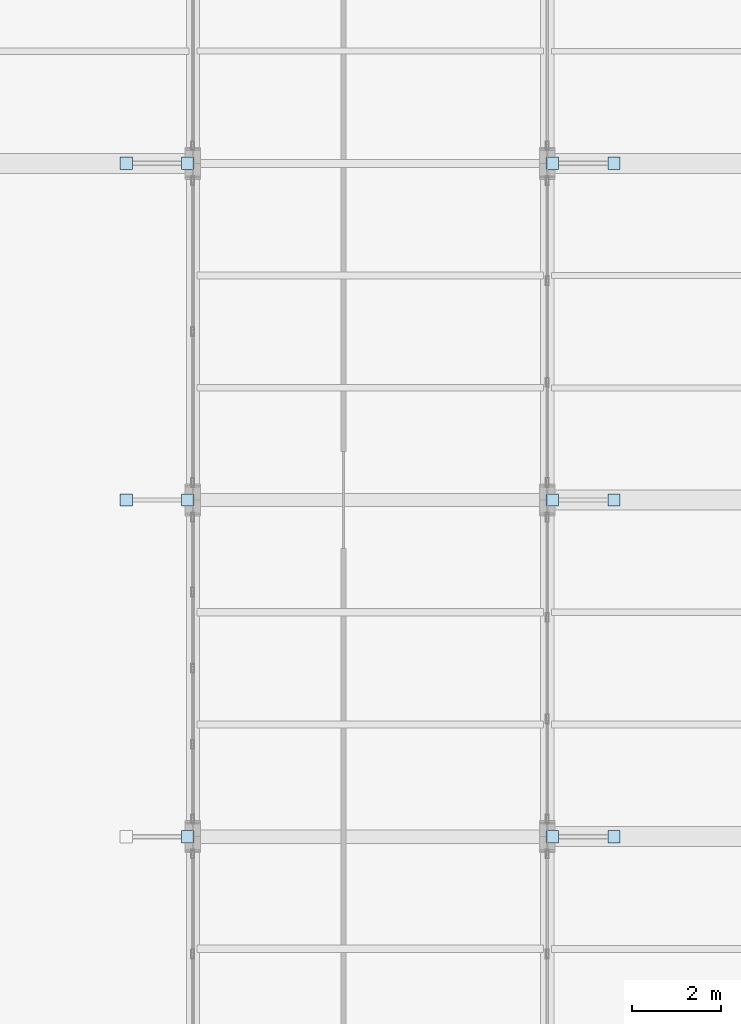
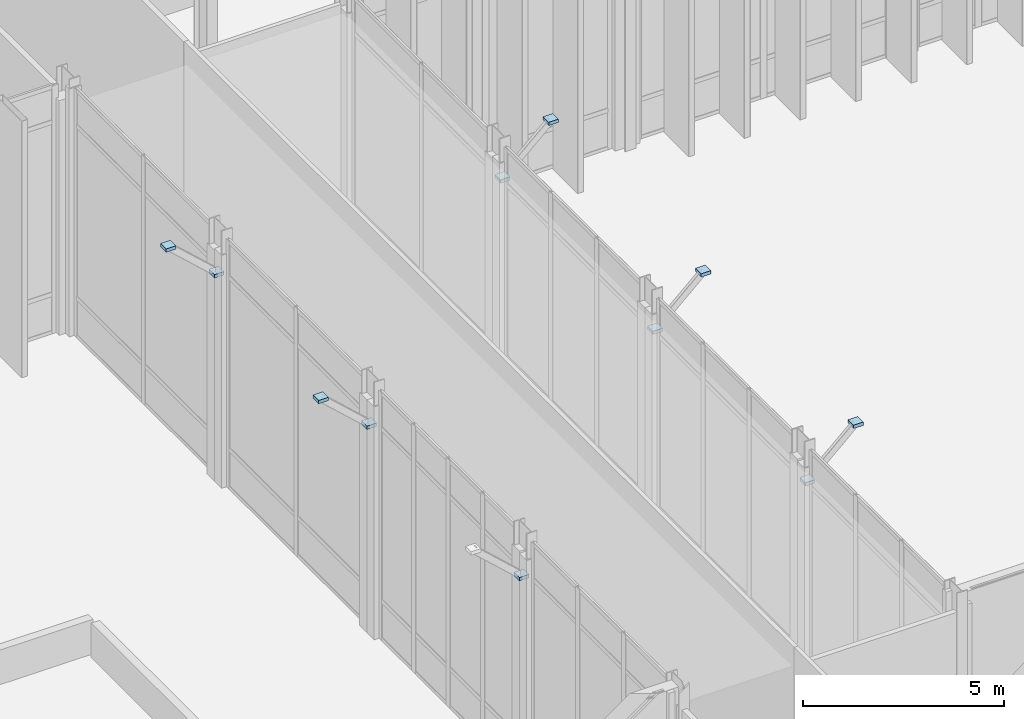
# One storey, part 128 of 176: 11 plates.
"""IFC4 building model written with IfcOpenShell, lengths in metres."""

from ifc_helpers import new_model, si_unit, direction, frame, origin, origin_2d, place, context, subcontext, project, spatial, rectangle, extrude, material, layer, layer_set, type_object, element, save


model = new_model("IFC4")

# Units and contexts
model_context = context("Model", 3, precision=1e-05, world=origin(), true_north=direction((0.0, 1.0)))
body_context = subcontext(model_context, "Body", "Model", "MODEL_VIEW")
ifc_project = project(units=[si_unit("LENGTHUNIT", "METRE"), si_unit("AREAUNIT", "SQUARE_METRE"), si_unit("VOLUMEUNIT", "CUBIC_METRE"), si_unit("PLANEANGLEUNIT", "RADIAN"), si_unit("MASSUNIT", "GRAM", prefix="KILO")], contexts=[model_context])

# Site, building, storey
site_placement = place(None, origin())
site = spatial("IfcSite", under=ifc_project, at=site_placement, CompositionType="ELEMENT")
building_placement = place(site_placement, origin())
building = spatial("IfcBuilding", under=site, at=building_placement, Name="Vekula Escarpment Museum", CompositionType="ELEMENT")
storey_placement = place(building_placement, origin())
storey = spatial("IfcBuildingStorey", under=building, at=storey_placement, Name="L01", CompositionType="ELEMENT", Elevation=0.0)

# Plates
ifc_material = material(Name="Steel S355", Category="steel")
ifc_layer = layer(ifc_material, 0.01611328125)
ifc_layer_set = layer_set([ifc_layer], Name="Steel S355")
plate_type = type_object("IfcPlateType", Name="PL-CAP-16", PredefinedType="SHEET", material=ifc_layer_set)
for number, where, z_axis, x_axis, name in (
    (1, (93.88525390625, 22.800048828125, 6.294189453125), (0.0, 0.0, 1.0), (1.0, 0.0, 0.0), "Hollow section end cap CP-16"),
    (2, (93.88525390625, 30.39990234375, 6.294189453125), (0.0, 0.0, 1.0), (1.0, 0.0, 0.0), "Hollow section end cap CP-16"),
    (3, (92.49462890625, 30.39990234375, 7.563720703125), (0.0, 0.0, 1.0), (1.0, 0.0, 0.0), "Hollow section end cap CP-16"),
    (4, (93.88525390625, 38.0, 6.294189453125), (0.0, 0.0, 1.0), (1.0, 0.0, 0.0), "Hollow section end cap CP-16"),
    (5, (92.49462890625, 38.0, 7.563720703125), (0.0, 0.0, 1.0), (1.0, 0.0, 0.0), "Hollow section end cap CP-16"),
    (6, (102.11474609375, 22.800048828125, 6.294189453125), (0.0, 0.0, 1.0), (1.0, 0.0, 0.0), "Hollow section end cap CP-16"),
    (7, (103.50537109375, 22.800048828125, 7.563720703125), (0.0, 0.0, 1.0), (1.0, 0.0, 0.0), "Hollow section end cap CP-16"),
    (8, (102.11474609375, 30.39990234375, 6.294189453125), (0.0, 0.0, 1.0), (1.0, 0.0, 0.0), "Hollow section end cap CP-16"),
    (9, (103.50537109375, 30.39990234375, 7.563720703125), (0.0, 0.0, 1.0), (1.0, 0.0, 0.0), "Hollow section end cap CP-16"),
    (10, (102.11474609375, 38.0, 6.294189453125), (0.0, 0.0, 1.0), (1.0, 0.0, 0.0), "Hollow section end cap CP-16"),
    (11, (103.50537109375, 38.0, 7.563720703125), (0.0, 0.0, 1.0), (1.0, 0.0, 0.0), "Hollow section end cap CP-16"),
):
    element("IfcPlate", number, at=place(storey_placement, frame(where, z_axis=z_axis, x_axis=x_axis)), inside=storey, type_object=plate_type, Name=name, PredefinedType="SHEET", context=body_context, shape_type="SweptSolid", body=[
        extrude(rectangle(XDim=0.280029296875, YDim=0.280029296875, at=origin_2d()), origin(), (0.0, 0.0, 1.0), 0.10205078125),
    ])

save(model, "model.ifc")
